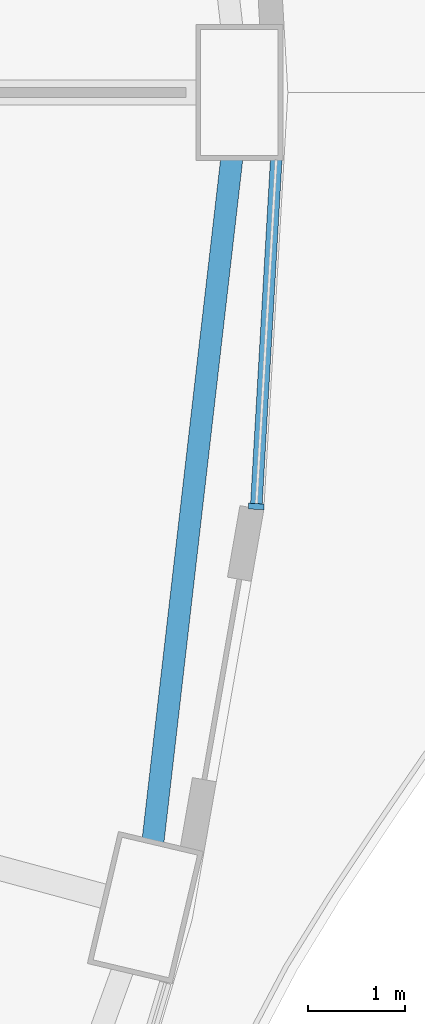
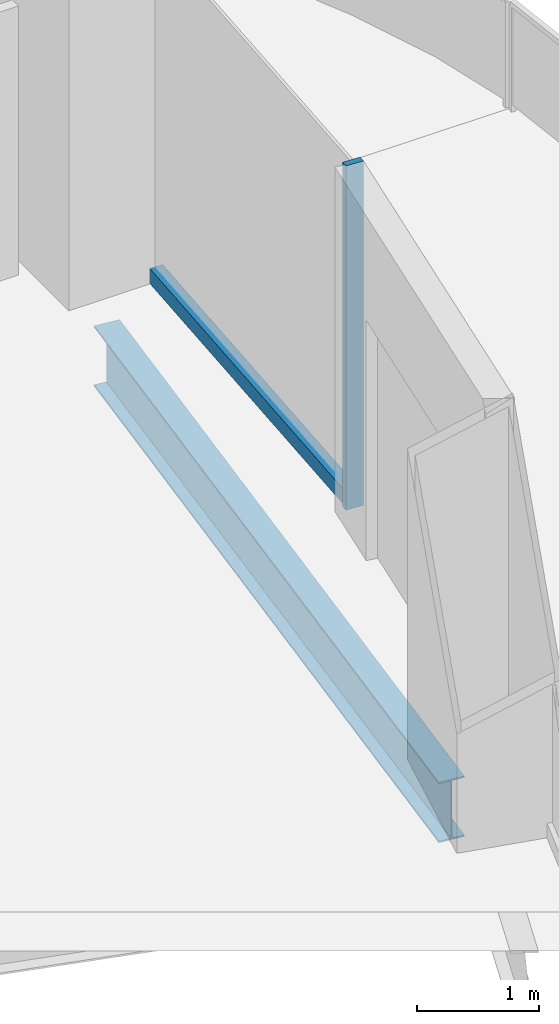
# One storey, part 6 of 23: 2 members, 1 beam, 1 element without a shape of its own.
"""IFC4 building model written with IfcOpenShell, lengths in metres."""

import ifcopenshell
import ifcopenshell.guid

model = None  # the IFC model being written
_history = None  # IfcOwnerHistory: only IFC2X3 demands one
_inside = {}  # id of a spatial element -> (the spatial element, [elements in it])
_under = {}  # id of a project, library or spatial element -> (it, [spatial elements below it])
_declared = {}  # id of a project -> (the project, [libraries it declares])
_typed = {}  # id of a type object -> (the type object, [elements of that type])
_made_of = {}  # id of a material, layer set ... -> (it, [elements and type objects made of it])


def new_model(schema):
    """Start an empty IFC model of exactly this schema.

    Asked for "IFC4X3", IfcOpenShell would pick the latest addendum, in which some entities
    have other attributes; the version numbers below select the first issue.
    IFC2X3 requires an IfcOwnerHistory on every rooted entity: one is made here for all.
    """
    global model, _history
    if schema == "IFC4X3":
        model = ifcopenshell.file(schema_version=(4, 3, 0, 0))
    else:
        model = ifcopenshell.file(schema=schema)
    _inside.clear()
    _under.clear()
    _declared.clear()
    _typed.clear()
    _made_of.clear()
    _history = None
    if model.schema == "IFC2X3":
        org = make("IfcOrganization", Name="unknown")
        user = make(
            "IfcPersonAndOrganization",
            ThePerson=make("IfcPerson", FamilyName="unknown"),
            TheOrganization=org,
        )
        app = make(
            "IfcApplication",
            ApplicationDeveloper=org,
            Version="unknown",
            ApplicationFullName="unknown",
            ApplicationIdentifier="unknown",
        )
        _history = make(
            "IfcOwnerHistory",
            OwningUser=user,
            OwningApplication=app,
            ChangeAction="ADDED",
            CreationDate=0,
        )
    return model


def make(cls, **values):
    """One entity of the class cls with the attributes given. An attribute that is None is left unset."""
    return model.create_entity(
        cls, **{name: value for name, value in values.items() if value is not None}
    )


def rooted(cls, **values):
    """An entity with a GlobalId (a new one), such as an element, a storey or a relation."""
    return make(cls, GlobalId=ifcopenshell.guid.new(), OwnerHistory=_history, **values)


def si_unit(unit_type, name, prefix=None):
    """IfcSIUnit, for example si_unit("LENGTHUNIT", "METRE", prefix="MILLI")."""
    return make("IfcSIUnit", UnitType=unit_type, Prefix=prefix, Name=name)


def assignment(units):
    """IfcUnitAssignment: the units of a project."""
    return None if units is None else make("IfcUnitAssignment", Units=units)


def point(xyz):
    """IfcCartesianPoint."""
    return None if xyz is None else make("IfcCartesianPoint", Coordinates=xyz)


def direction(xyz):
    """IfcDirection."""
    return None if xyz is None else make("IfcDirection", DirectionRatios=xyz)


def frame(location, z_axis=None, x_axis=None):
    """IfcAxis2Placement3D, a coordinate frame: its origin and axes. An axis left out is left unset."""
    return make(
        "IfcAxis2Placement3D",
        Location=point(location),
        Axis=direction(z_axis),
        RefDirection=direction(x_axis),
    )


def frame_2d(location, x_axis=None):
    """IfcAxis2Placement2D, a coordinate frame in the plane: its origin and x axis."""
    return make(
        "IfcAxis2Placement2D", Location=point(location), RefDirection=direction(x_axis)
    )


def origin():
    """The frame at (0, 0, 0) with its axes left unset."""
    return frame((0.0, 0.0, 0.0))


def origin_2d():
    """The frame at (0, 0) in the plane with its x axis left unset."""
    return frame_2d((0.0, 0.0))


def place(relative_to, where):
    """IfcLocalPlacement: puts the frame where relative to a parent placement (None: the world)."""
    return make(
        "IfcLocalPlacement", PlacementRelTo=relative_to, RelativePlacement=where
    )


def context(
    kind, dimensions, precision=None, world=None, true_north=None, identifier=None
):
    """IfcGeometricRepresentationContext, for example the 3D "Model" context."""
    return make(
        "IfcGeometricRepresentationContext",
        ContextIdentifier=identifier,
        ContextType=kind,
        CoordinateSpaceDimension=dimensions,
        Precision=precision,
        WorldCoordinateSystem=world,
        TrueNorth=true_north,
    )


def subcontext(parent, identifier, kind, view, scale=None):
    """IfcGeometricRepresentationSubContext, for example "Body" below "Model"."""
    return make(
        "IfcGeometricRepresentationSubContext",
        ContextIdentifier=identifier,
        ContextType=kind,
        ParentContext=parent,
        TargetScale=scale,
        TargetView=view,
    )


def project(units=None, contexts=None):
    """IfcProject with its units and contexts."""
    return rooted(
        "IfcProject",
        Name="project",
        RepresentationContexts=contexts,
        UnitsInContext=assignment(units),
    )


def spatial(cls, under=None, at=None, **own):
    """A site, building, storey or space (cls), placed at a placement, below another one or the project."""
    s = rooted(cls, ObjectPlacement=at, **own)
    if under is not None:
        _under.setdefault(under.id(), (under, []))[1].append(s)
    return s


def profile(cls, at=None, kind="AREA", **sizes):
    """A parametric profile (cls). Its sizes go by their IFC names, for example OverallWidth=200.0."""
    return make(cls, ProfileType=kind, Position=at, **sizes)


def rectangle(**sizes):
    """IfcRectangleProfileDef."""
    return profile("IfcRectangleProfileDef", **sizes)


def i_section(**sizes):
    """IfcIShapeProfileDef."""
    return profile("IfcIShapeProfileDef", **sizes)


def extrude(swept, where, along, depth):
    """IfcExtrudedAreaSolid: the profile swept, set in the frame where, extruded along a direction by depth."""
    return make(
        "IfcExtrudedAreaSolid",
        SweptArea=swept,
        Position=where,
        ExtrudedDirection=direction(along),
        Depth=depth,
    )


def shape(context_of_items, identifier, shape_type, items):
    """IfcShapeRepresentation: the items that make up one representation, for example the "Body"."""
    return make(
        "IfcShapeRepresentation",
        ContextOfItems=context_of_items,
        RepresentationIdentifier=identifier,
        RepresentationType=shape_type,
        Items=items,
    )


def material(Name=None, Category=None):
    """IfcMaterial."""
    return make("IfcMaterial", Name=Name, Category=Category)


def layer(
    of_material, thickness, ventilated=None, Name=None, Category=None, Priority=None
):
    """IfcMaterialLayer: one layer of a wall or slab, of a material (None: an air gap)."""
    return make(
        "IfcMaterialLayer",
        Material=of_material,
        LayerThickness=thickness,
        IsVentilated=ventilated,
        Name=Name,
        Category=Category,
        Priority=Priority,
    )


def layer_set(layers, Name=None):
    """IfcMaterialLayerSet."""
    return make("IfcMaterialLayerSet", MaterialLayers=layers, LayerSetName=Name)


def material_profile(
    of_material, cross_section, Name=None, Category=None, Priority=None
):
    """IfcMaterialProfile: a cross section and its material."""
    return make(
        "IfcMaterialProfile",
        Name=Name,
        Material=of_material,
        Profile=cross_section,
        Priority=Priority,
        Category=Category,
    )


def profile_set(profiles, Name=None, composite=None):
    """IfcMaterialProfileSet."""
    return make(
        "IfcMaterialProfileSet",
        Name=Name,
        MaterialProfiles=profiles,
        CompositeProfile=composite,
    )


def made_of(thing, what):
    """Note that an element or type object is made of a material, layer set ...; save() writes the relation."""
    if what is not None:
        _made_of.setdefault(what.id(), (what, []))[1].append(thing)
    return thing


def type_object(cls, material=None, **own):
    """A type object (cls), such as IfcWallType, which elements share."""
    return made_of(rooted(cls, **own), material)


def element(
    cls,
    number,
    at=None,
    inside=None,
    cuts=None,
    type_object=None,
    material=None,
    context=None,
    identifier="Body",
    shape_type=None,
    held_by="IfcProductDefinitionShape",
    body=None,
    shapes=None,
    **own,
):
    """One element of the class cls, such as IfcWall. Its Tag is "e" and its number.

    at: its placement. inside: the storey or other place that contains it. cuts: it is an
    opening in that element (IfcRelVoidsElement). A single representation is given by context,
    identifier, shape_type and body (its items); several are given by shapes. held_by: the class
    of the entity that holds the representations. save() writes the other relations.
    """
    e = rooted(cls, Tag="e%d" % number, ObjectPlacement=at, **own)
    if body is not None:
        shapes = [shape(context, identifier, shape_type, body)]
    if shapes is not None:
        e.Representation = make(held_by, Representations=shapes)
    if inside is not None:
        _inside.setdefault(inside.id(), (inside, []))[1].append(e)
    if cuts is not None:
        rooted(
            "IfcRelVoidsElement", RelatingBuildingElement=cuts, RelatedOpeningElement=e
        )
    if type_object is not None:
        _typed.setdefault(type_object.id(), (type_object, []))[1].append(e)
    return made_of(e, material)


def aggregate(whole, parts):
    """IfcRelAggregates: a whole, such as a stair, and the parts it consists of."""
    return rooted("IfcRelAggregates", RelatingObject=whole, RelatedObjects=parts)


def save(model, path):
    """Write the relations noted so far, then the file.

    IfcRelAggregates (storeys below a building ...), IfcRelContainedInSpatialStructure (elements
    in a storey), IfcRelDefinesByType, IfcRelAssociatesMaterial and IfcRelDeclares: one each for
    every whole, place, type object, material and project.
    """
    for whole, parts in _under.values():
        aggregate(whole, parts)
    for where, things in _inside.values():
        rooted(
            "IfcRelContainedInSpatialStructure",
            RelatedElements=things,
            RelatingStructure=where,
        )
    for kind, things in _typed.values():
        rooted("IfcRelDefinesByType", RelatedObjects=things, RelatingType=kind)
    for what, things in _made_of.values():
        rooted("IfcRelAssociatesMaterial", RelatedObjects=things, RelatingMaterial=what)
    for by, libraries in _declared.values():
        rooted("IfcRelDeclares", RelatingContext=by, RelatedDefinitions=libraries)
    model.write(path)


model = new_model("IFC4")

# Units and contexts
model_context = context("Model", 3, precision=1e-05, world=origin(), true_north=direction((0.0, 1.0)))
body_context = subcontext(model_context, "Body", "Model", "MODEL_VIEW")
ifc_project = project(units=[si_unit("LENGTHUNIT", "METRE"), si_unit("AREAUNIT", "SQUARE_METRE"), si_unit("VOLUMEUNIT", "CUBIC_METRE"), si_unit("PLANEANGLEUNIT", "RADIAN"), si_unit("MASSUNIT", "GRAM", prefix="KILO")], contexts=[model_context])

# Site, building, storey
site_placement = place(None, origin())
site = spatial("IfcSite", under=ifc_project, at=site_placement, CompositionType="ELEMENT")
building_placement = place(site_placement, origin())
building = spatial("IfcBuilding", under=site, at=building_placement, Name="Nagisa Residences", CompositionType="ELEMENT")
storey_placement = place(building_placement, frame((0.0, 0.0, 56.60009765625)))
storey = spatial("IfcBuildingStorey", under=building, at=storey_placement, Name="L13", CompositionType="ELEMENT", Elevation=56.60009765625)

# Curtain wall, members
ifc_material_1 = material(Name="Concrete-coloured aluminium curtain wall system", Category="concrete")
ifc_layer = layer(ifc_material_1, 0.159912109375)
ifc_layer_set = layer_set([ifc_layer], Name="CW1 CURTAIN WALL")
curtain_wall_type = type_object("IfcCurtainWallType", Name="CW1 CURTAIN WALL", PredefinedType="NOTDEFINED", material=ifc_layer_set)
curtain_wall_placement = place(storey_placement, origin())
curtain_wall = element("IfcCurtainWall", 1, at=curtain_wall_placement, inside=storey, type_object=curtain_wall_type, Name="cw:CW1:L13:47", PredefinedType="NOTDEFINED")
ifc_material_2 = material(Name="Concrete-coloured aluminium", Category="concrete")
ifc_material_profile_1 = material_profile(ifc_material_2, rectangle(XDim=0.159912109375, YDim=0.06005859375, at=origin_2d()), Name="CW1 MULLION 160x60")
ifc_profile_set_1 = profile_set([ifc_material_profile_1], Name="Concrete-coloured aluminium")
member_type_1 = type_object("IfcMemberType", Name="CW1 MULLION 160x60", PredefinedType="MULLION", material=ifc_profile_set_1)
member_1_placement = place(storey_placement, frame((32.273681640625, -4.272705078125, 0.0), z_axis=(0.0, 0.0, 1.0), x_axis=(-0.998345305184, 0.057503492216, 0.0)))
member_1 = element("IfcMember", 2, at=member_1_placement, type_object=member_type_1, Name="CW1 mullion", PredefinedType="MULLION", context=body_context, shape_type="SweptSolid", body=[
    extrude(rectangle(XDim=0.159912109375, YDim=0.06005859375, at=origin_2d()), origin(), (0.0, 0.0, 1.0), 3.43994140625),
])
ifc_material_3 = material(Name="Concrete-coloured aluminium", Category="concrete")
ifc_material_profile_2 = material_profile(ifc_material_3, rectangle(XDim=0.1201171875, YDim=0.14990234375, at=origin_2d()), Name="CW1 TRANSOM 120x150")
ifc_profile_set_2 = profile_set([ifc_material_profile_2], Name="Concrete-coloured aluminium")
member_type_2 = type_object("IfcMemberType", Name="CW1 TRANSOM 120x150", PredefinedType="USERDEFINED", material=ifc_profile_set_2)
member_2_placement = place(storey_placement, frame((32.27197265625, -4.302734375, 0.074951171875), z_axis=(0.057549926952, 0.998342629515, 0.0), x_axis=(-0.998342629515, 0.057549926952, 0.0)))
member_2 = element("IfcMember", 3, at=member_2_placement, type_object=member_type_2, Name="CW1 transom", ObjectType="TRANSOM", PredefinedType="USERDEFINED", context=body_context, shape_type="SweptSolid", body=[
    extrude(rectangle(XDim=0.1201171875, YDim=0.14990234375, at=origin_2d()), origin(), (0.0, 0.0, 1.0), 3.614501953125),
])
aggregate(curtain_wall, [member_1, member_2])

# Beam
ifc_material_4 = material(Name="Steel ASTM A572 Gr 50", Category="steel")
ifc_material_profile_3 = material_profile(ifc_material_4, i_section(OverallWidth=0.22802734375, OverallDepth=0.60302734375, WebThickness=0.010498046875, FlangeThickness=0.014892578125, at=origin_2d()), Name="W610x101")
ifc_profile_set_3 = profile_set([ifc_material_profile_3], Name="Steel ASTM A572 Gr 50")
beam_type = type_object("IfcBeamType", Name="Perimeter ring beam W610x101", PredefinedType="BEAM", material=ifc_profile_set_3)
beam_placement = place(storey_placement, frame((31.20751953125, -7.7314453125, -0.5615234375), z_axis=(0.114673717321, 0.993403210462, 0.0), x_axis=(-0.993403210462, 0.114673717321, 0.0)))
element("IfcBeam", 4, at=beam_placement, inside=storey, type_object=beam_type, Name="beam:L13:pb24", PredefinedType="BEAM", context=body_context, shape_type="SweptSolid", body=[
    extrude(i_section(OverallWidth=0.22802734375, OverallDepth=0.60302734375, WebThickness=0.010498046875, FlangeThickness=0.014892578125, at=origin_2d()), origin(), (0.0, 0.0, 1.0), 7.09814453125),
])

save(model, "model.ifc")
